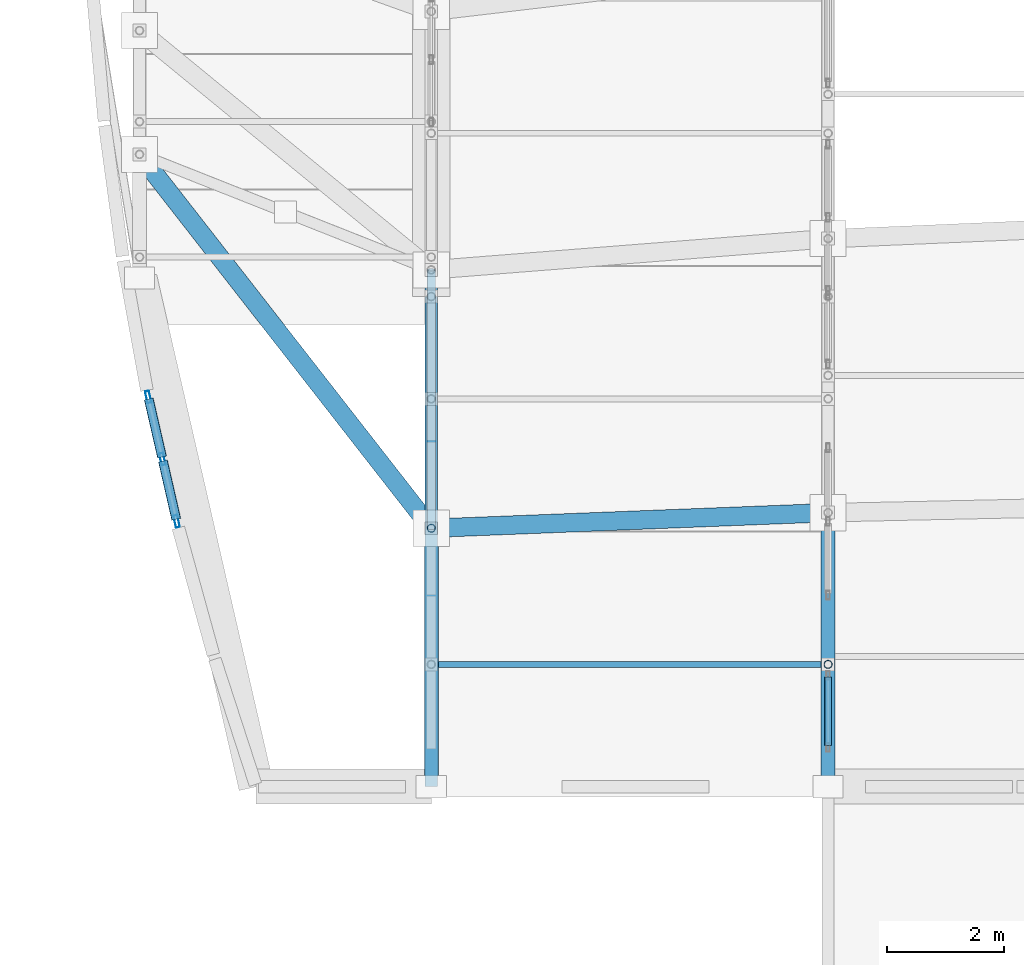
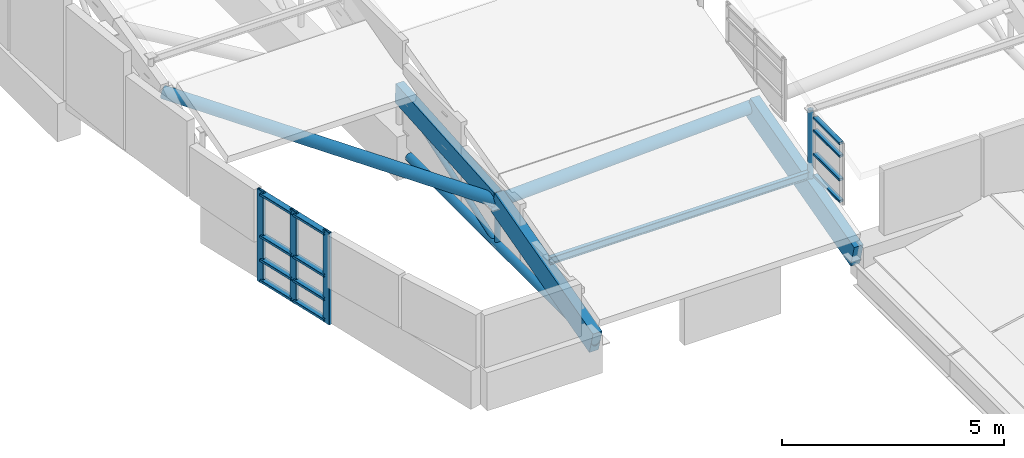
# One storey, part 66 of 188: 25 members, 2 elements without a shape of their own.
"""IFC4 building model written with IfcOpenShell, lengths in metres."""

from ifc_helpers import new_model, si_unit, direction, frame, origin, origin_2d, place, context, subcontext, project, spatial, rectangle, hollow_rectangle, hollow_circle, i_section, extrude, material, layer, layer_set, material_profile, profile_set, type_object, element, aggregate, save


model = new_model("IFC4")

# Units and contexts
model_context = context("Model", 3, precision=1e-05, world=origin(), true_north=direction((0.0, 1.0)))
body_context = subcontext(model_context, "Body", "Model", "MODEL_VIEW")
ifc_project = project(units=[si_unit("LENGTHUNIT", "METRE"), si_unit("AREAUNIT", "SQUARE_METRE"), si_unit("VOLUMEUNIT", "CUBIC_METRE"), si_unit("PLANEANGLEUNIT", "RADIAN"), si_unit("MASSUNIT", "GRAM", prefix="KILO")], contexts=[model_context])

# Site, building, storey
site_placement = place(None, origin())
site = spatial("IfcSite", under=ifc_project, at=site_placement, CompositionType="ELEMENT")
building_placement = place(site_placement, origin())
building = spatial("IfcBuilding", under=site, at=building_placement, Name="Kisaragi Civic Commons", CompositionType="ELEMENT")
storey_placement = place(building_placement, frame((0.0, 0.0, 9.60009765625)))
storey = spatial("IfcBuildingStorey", under=building, at=storey_placement, Name="L02", CompositionType="ELEMENT", Elevation=9.60009765625)

# Curtain wall, members
ifc_material_1 = material(Name="Thermally broken anodized aluminium and low-E double glazing", Category="aluminium")
ifc_layer_1 = layer(ifc_material_1, 0.2099609375, Name="Thermally broken anodized aluminium and low-E double glazing", Category="aluminium")
ifc_layer_set_1 = layer_set([ifc_layer_1], Name="Thermally broken anodized aluminium and low-E double glazing")
curtain_wall_type_1 = type_object("IfcCurtainWallType", Name="CW-02", PredefinedType="NOTDEFINED", material=ifc_layer_set_1)
curtain_wall_1_placement = place(storey_placement, origin())
curtain_wall_1 = element("IfcCurtainWall", 1, at=curtain_wall_1_placement, inside=storey, type_object=curtain_wall_type_1, Name="L02 curtain wall CW-02 CW-GAB-V2-221", PredefinedType="NOTDEFINED")
ifc_material_profile_1 = material_profile(ifc_material_1, hollow_rectangle(XDim=0.070068359375, YDim=0.2099609375, WallThickness=0.0048828125, InnerFilletRadius=0.0048828125, OuterFilletRadius=0.010009765625, at=origin_2d()), Name="CWM-70x210x5", Category="aluminium")
ifc_profile_set_1 = profile_set([ifc_material_profile_1], Name="Thermally broken anodized aluminium and low-E double glazing")
member_type_1 = type_object("IfcMemberType", Name="CWM-03", PredefinedType="MULLION", material=ifc_profile_set_1)
member_1_placement = place(storey_placement, frame((2.437255859375, 83.748291015625, -1.399169921875), z_axis=(0.0, 0.0, 1.0), x_axis=(-0.974843931572, -0.222888557527, 0.0)))
member_1 = element("IfcMember", 2, at=member_1_placement, type_object=member_type_1, Name="CW-02 mullion 1", PredefinedType="MULLION", context=body_context, shape_type="SweptSolid", body=[
    extrude(hollow_rectangle(XDim=0.070068359375, YDim=0.2099609375, WallThickness=0.0048828125, InnerFilletRadius=0.0048828125, OuterFilletRadius=0.010009765625, at=origin_2d()), origin(), (0.0, 0.0, 1.0), 2.534423828125),
])
member_2_placement = place(storey_placement, frame((2.193603515625, 84.814208984375, -1.399169921875), z_axis=(0.0, 0.0, 1.0), x_axis=(-0.974843931572, -0.222888557527, 0.0)))
member_2 = element("IfcMember", 3, at=member_2_placement, type_object=member_type_1, Name="CW-02 mullion 2", PredefinedType="MULLION", context=body_context, shape_type="SweptSolid", body=[
    extrude(hollow_rectangle(XDim=0.070068359375, YDim=0.2099609375, WallThickness=0.0048828125, InnerFilletRadius=0.0048828125, OuterFilletRadius=0.010009765625, at=origin_2d()), origin(), (0.0, 0.0, 1.0), 2.534423828125),
])
member_3_placement = place(storey_placement, frame((1.94970703125, 85.88037109375, -1.399169921875), z_axis=(0.0, 0.0, 1.0), x_axis=(-0.974843931572, -0.222888557527, 0.0)))
member_3 = element("IfcMember", 4, at=member_3_placement, type_object=member_type_1, Name="CW-02 mullion 3", PredefinedType="MULLION", context=body_context, shape_type="SweptSolid", body=[
    extrude(hollow_rectangle(XDim=0.070068359375, YDim=0.2099609375, WallThickness=0.0048828125, InnerFilletRadius=0.0048828125, OuterFilletRadius=0.010009765625, at=origin_2d()), origin(), (0.0, 0.0, 1.0), 2.534423828125),
])

ifc_layer_2 = layer(ifc_material_1, 0.14990234375, Name="Thermally broken anodized aluminium and low-E double glazing", Category="aluminium")
ifc_layer_set_2 = layer_set([ifc_layer_2], Name="Thermally broken anodized aluminium and low-E double glazing")
curtain_wall_type_2 = type_object("IfcCurtainWallType", Name="CW-03", PredefinedType="NOTDEFINED", material=ifc_layer_set_2)
curtain_wall_2_placement = place(storey_placement, origin())
curtain_wall_2 = element("IfcCurtainWall", 5, at=curtain_wall_2_placement, inside=storey, type_object=curtain_wall_type_2, Name="L02 curtain wall CW-03 CW-CL-V2-179", PredefinedType="NOTDEFINED")
ifc_material_profile_2 = material_profile(ifc_material_1, hollow_rectangle(XDim=0.1201171875, YDim=0.06005859375, WallThickness=0.00390625, InnerFilletRadius=0.00390625, OuterFilletRadius=0.008056640625, at=origin_2d()), Name="CWT-60x120x4", Category="aluminium")
ifc_profile_set_2 = profile_set([ifc_material_profile_2], Name="Thermally broken anodized aluminium and low-E double glazing")
member_type_2 = type_object("IfcMemberType", Name="CWT-01", PredefinedType="USERDEFINED", material=ifc_profile_set_2)
member_4_placement = place(storey_placement, frame((13.60009765625, 79.902099609375, 0.374267578125), z_axis=(0.0, 1.0, 0.0), x_axis=(-1.0, 0.0, 0.0)))
member_4 = element("IfcMember", 6, at=member_4_placement, type_object=member_type_2, Name="CW-03 transom 1.1", ObjectType="TRANSOM", PredefinedType="USERDEFINED", context=body_context, shape_type="SweptSolid", body=[
    extrude(hollow_rectangle(XDim=0.1201171875, YDim=0.06005859375, WallThickness=0.00390625, InnerFilletRadius=0.00390625, OuterFilletRadius=0.008056640625, at=origin_2d()), origin(), (0.0, 0.0, 1.0), 1.173583984375),
])
member_5_placement = place(storey_placement, frame((13.60009765625, 79.902099609375, 0.964111328125), z_axis=(0.0, 1.0, 0.0), x_axis=(-1.0, 0.0, 0.0)))
member_5 = element("IfcMember", 7, at=member_5_placement, type_object=member_type_2, Name="CW-03 transom 1.2", ObjectType="TRANSOM", PredefinedType="USERDEFINED", context=body_context, shape_type="SweptSolid", body=[
    extrude(hollow_rectangle(XDim=0.1201171875, YDim=0.06005859375, WallThickness=0.00390625, InnerFilletRadius=0.00390625, OuterFilletRadius=0.008056640625, at=origin_2d()), origin(), (0.0, 0.0, 1.0), 1.173583984375),
])
member_6_placement = place(storey_placement, frame((13.60009765625, 79.902099609375, 1.6142578125), z_axis=(0.0, 1.0, 0.0), x_axis=(-1.0, 0.0, 0.0)))
member_6 = element("IfcMember", 8, at=member_6_placement, type_object=member_type_2, Name="CW-03 transom 1.3", ObjectType="TRANSOM", PredefinedType="USERDEFINED", context=body_context, shape_type="SweptSolid", body=[
    extrude(hollow_rectangle(XDim=0.1201171875, YDim=0.06005859375, WallThickness=0.00390625, InnerFilletRadius=0.00390625, OuterFilletRadius=0.008056640625, at=origin_2d()), origin(), (0.0, 0.0, 1.0), 1.173583984375),
])
member_7_placement = place(storey_placement, frame((13.60009765625, 79.902099609375, 1.964599609375), z_axis=(0.0, 1.0, 0.0), x_axis=(-1.0, 0.0, 0.0)))
member_7 = element("IfcMember", 9, at=member_7_placement, type_object=member_type_2, Name="CW-03 transom 1.4", ObjectType="TRANSOM", PredefinedType="USERDEFINED", context=body_context, shape_type="SweptSolid", body=[
    extrude(hollow_rectangle(XDim=0.1201171875, YDim=0.06005859375, WallThickness=0.00390625, InnerFilletRadius=0.00390625, OuterFilletRadius=0.008056640625, at=origin_2d()), origin(), (0.0, 0.0, 1.0), 1.173583984375),
])
aggregate(curtain_wall_2, [member_4, member_5, member_6, member_7])

# Member
ifc_material_profile_3 = material_profile(ifc_material_1, hollow_rectangle(XDim=0.159912109375, YDim=0.070068359375, WallThickness=0.0048828125, InnerFilletRadius=0.0048828125, OuterFilletRadius=0.010009765625, at=origin_2d()), Name="CWT-70x160x5", Category="aluminium")
ifc_profile_set_3 = profile_set([ifc_material_profile_3], Name="Thermally broken anodized aluminium and low-E double glazing")
member_type_3 = type_object("IfcMemberType", Name="CWT-03", PredefinedType="USERDEFINED", material=ifc_profile_set_3)
member_8_placement = place(storey_placement, frame((2.429443359375, 83.7822265625, -1.319091796875), z_axis=(-0.222734147349, 0.974879223086, 0.0), x_axis=(-0.974879223086, -0.222734147349, 0.0)))
member_8 = element("IfcMember", 10, at=member_8_placement, type_object=member_type_3, Name="CW-02 transom 1.1", ObjectType="TRANSOM", PredefinedType="USERDEFINED", context=body_context, shape_type="SweptSolid", body=[
    extrude(hollow_rectangle(XDim=0.159912109375, YDim=0.070068359375, WallThickness=0.0048828125, InnerFilletRadius=0.0048828125, OuterFilletRadius=0.010009765625, at=origin_2d()), origin(), (0.0, 0.0, 1.0), 1.023681640625),
])

member_9_placement = place(storey_placement, frame((2.429443359375, 83.7822265625, -0.7490234375), z_axis=(-0.222734147349, 0.974879223086, 0.0), x_axis=(-0.974879223086, -0.222734147349, 0.0)))
member_9 = element("IfcMember", 11, at=member_9_placement, type_object=member_type_3, Name="CW-02 transom 1.2", ObjectType="TRANSOM", PredefinedType="USERDEFINED", context=body_context, shape_type="SweptSolid", body=[
    extrude(hollow_rectangle(XDim=0.159912109375, YDim=0.070068359375, WallThickness=0.0048828125, InnerFilletRadius=0.0048828125, OuterFilletRadius=0.010009765625, at=origin_2d()), origin(), (0.0, 0.0, 1.0), 1.023681640625),
])

member_10_placement = place(storey_placement, frame((2.429443359375, 83.7822265625, -0.09912109375), z_axis=(-0.222734147349, 0.974879223086, 0.0), x_axis=(-0.974879223086, -0.222734147349, 0.0)))
member_10 = element("IfcMember", 12, at=member_10_placement, type_object=member_type_3, Name="CW-02 transom 1.3", ObjectType="TRANSOM", PredefinedType="USERDEFINED", context=body_context, shape_type="SweptSolid", body=[
    extrude(hollow_rectangle(XDim=0.159912109375, YDim=0.070068359375, WallThickness=0.0048828125, InnerFilletRadius=0.0048828125, OuterFilletRadius=0.010009765625, at=origin_2d()), origin(), (0.0, 0.0, 1.0), 1.023681640625),
])

member_11_placement = place(storey_placement, frame((2.429443359375, 83.7822265625, 1.055419921875), z_axis=(-0.222734147349, 0.974879223086, 0.0), x_axis=(-0.974879223086, -0.222734147349, 0.0)))
member_11 = element("IfcMember", 13, at=member_11_placement, type_object=member_type_3, Name="CW-02 transom 1.4", ObjectType="TRANSOM", PredefinedType="USERDEFINED", context=body_context, shape_type="SweptSolid", body=[
    extrude(hollow_rectangle(XDim=0.159912109375, YDim=0.070068359375, WallThickness=0.0048828125, InnerFilletRadius=0.0048828125, OuterFilletRadius=0.010009765625, at=origin_2d()), origin(), (0.0, 0.0, 1.0), 1.023681640625),
])

member_12_placement = place(storey_placement, frame((2.185791015625, 84.848388671875, -1.319091796875), z_axis=(-0.223012612654, 0.974815559271, 0.0), x_axis=(-0.974815559271, -0.223012612654, 0.0)))
member_12 = element("IfcMember", 14, at=member_12_placement, type_object=member_type_3, Name="CW-02 transom 2.1", ObjectType="TRANSOM", PredefinedType="USERDEFINED", context=body_context, shape_type="SweptSolid", body=[
    extrude(hollow_rectangle(XDim=0.159912109375, YDim=0.070068359375, WallThickness=0.0048828125, InnerFilletRadius=0.0048828125, OuterFilletRadius=0.010009765625, at=origin_2d()), origin(), (0.0, 0.0, 1.0), 1.023681640625),
])

member_13_placement = place(storey_placement, frame((2.185791015625, 84.848388671875, -0.7490234375), z_axis=(-0.223012612654, 0.974815559271, 0.0), x_axis=(-0.974815559271, -0.223012612654, 0.0)))
member_13 = element("IfcMember", 15, at=member_13_placement, type_object=member_type_3, Name="CW-02 transom 2.2", ObjectType="TRANSOM", PredefinedType="USERDEFINED", context=body_context, shape_type="SweptSolid", body=[
    extrude(hollow_rectangle(XDim=0.159912109375, YDim=0.070068359375, WallThickness=0.0048828125, InnerFilletRadius=0.0048828125, OuterFilletRadius=0.010009765625, at=origin_2d()), origin(), (0.0, 0.0, 1.0), 1.023681640625),
])

member_14_placement = place(storey_placement, frame((2.185791015625, 84.848388671875, -0.09912109375), z_axis=(-0.223012612654, 0.974815559271, 0.0), x_axis=(-0.974815559271, -0.223012612654, 0.0)))
member_14 = element("IfcMember", 16, at=member_14_placement, type_object=member_type_3, Name="CW-02 transom 2.3", ObjectType="TRANSOM", PredefinedType="USERDEFINED", context=body_context, shape_type="SweptSolid", body=[
    extrude(hollow_rectangle(XDim=0.159912109375, YDim=0.070068359375, WallThickness=0.0048828125, InnerFilletRadius=0.0048828125, OuterFilletRadius=0.010009765625, at=origin_2d()), origin(), (0.0, 0.0, 1.0), 1.023681640625),
])

member_15_placement = place(storey_placement, frame((2.185791015625, 84.848388671875, 1.055419921875), z_axis=(-0.223012612654, 0.974815559271, 0.0), x_axis=(-0.974815559271, -0.223012612654, 0.0)))
member_15 = element("IfcMember", 17, at=member_15_placement, type_object=member_type_3, Name="CW-02 transom 2.4", ObjectType="TRANSOM", PredefinedType="USERDEFINED", context=body_context, shape_type="SweptSolid", body=[
    extrude(hollow_rectangle(XDim=0.159912109375, YDim=0.070068359375, WallThickness=0.0048828125, InnerFilletRadius=0.0048828125, OuterFilletRadius=0.010009765625, at=origin_2d()), origin(), (0.0, 0.0, 1.0), 1.023681640625),
])

aggregate(curtain_wall_1, [member_1, member_2, member_3, member_8, member_9, member_10, member_11, member_12, member_13, member_14, member_15])

# Members
ifc_material_2 = material(Name="Steel SN490 (SN490B)", Category="steel")
ifc_material_profile_4 = material_profile(ifc_material_2, hollow_circle(Radius=0.1591796875, WallThickness=0.01025390625, at=origin_2d()), Name="CHS-318.5x10.3", Category="steel")
ifc_profile_set_4 = profile_set([ifc_material_profile_4], Name="Steel SN490 (SN490B)")
member_type_4 = type_object("IfcMemberType", Name="GC-03", PredefinedType="CHORD", material=ifc_profile_set_4)
member_16_placement = place(storey_placement, frame((1.800048828125, 90.037109375, 1.35986328125), z_axis=(0.611705998553, -0.783987258301, -0.10573433764), x_axis=(0.788406740385, 0.615154299112, 0.0)))
element("IfcMember", 18, at=member_16_placement, inside=storey, type_object=member_type_4, Name="V2 wave gridshell chord GC-03 1", PredefinedType="CHORD", context=body_context, shape_type="SweptSolid", body=[
    extrude(hollow_circle(Radius=0.1591796875, WallThickness=0.01025390625, at=origin_2d()), origin(), (0.0, 0.0, 1.0), 8.173828125),
])
member_17_placement = place(storey_placement, frame((6.800048828125, 83.62890625, 0.49560546875), z_axis=(0.999169864895, 0.039280903388, 0.01079776431), x_axis=(-0.039283193502, 0.999228117453, 0.0)))
element("IfcMember", 19, at=member_17_placement, inside=storey, type_object=member_type_4, Name="V2 wave gridshell chord GC-03 8", PredefinedType="CHORD", context=body_context, shape_type="SweptSolid", body=[
    extrude(hollow_circle(Radius=0.1591796875, WallThickness=0.01025390625, at=origin_2d()), origin(), (0.0, 0.0, 1.0), 6.8056640625),
])
ifc_material_3 = material(Name="Glulam E120-F330", Category="wood")
ifc_material_profile_5 = material_profile(ifc_material_3, rectangle(XDim=0.239990234375, YDim=0.6298828125, at=origin_2d()), Name="GL-240x630", Category="wood")
ifc_profile_set_5 = profile_set([ifc_material_profile_5], Name="Glulam E120-F330")
member_type_5 = type_object("IfcMemberType", Name="GR-03", PredefinedType="RAFTER", material=ifc_profile_set_5)
member_18_placement = place(storey_placement, frame((6.800048828125, 79.199951171875, -0.69921875), z_axis=(0.0, 0.965483572253, 0.260463954722), x_axis=(-1.0, 0.0, 0.0)))
element("IfcMember", 20, at=member_18_placement, inside=storey, type_object=member_type_5, Name="V2 glulam arch rib GR-03 9", PredefinedType="RAFTER", context=body_context, shape_type="SweptSolid", body=[
    extrude(rectangle(XDim=0.239990234375, YDim=0.6298828125, at=origin_2d()), origin(), (0.0, 0.0, 1.0), 4.58740234375),
])
member_19_placement = place(storey_placement, frame((13.60009765625, 79.199951171875, -0.69921875), z_axis=(0.0, 0.96541291432, 0.260725727277), x_axis=(-1.0, 0.0, 0.0)))
element("IfcMember", 21, at=member_19_placement, inside=storey, type_object=member_type_5, Name="V2 glulam arch rib GR-03 17", PredefinedType="RAFTER", context=body_context, shape_type="SweptSolid", body=[
    extrude(rectangle(XDim=0.239990234375, YDim=0.6298828125, at=origin_2d()), origin(), (0.0, 0.0, 1.0), 4.864501953125),
])
ifc_material_profile_6 = material_profile(ifc_material_3, rectangle(XDim=0.2099609375, YDim=0.5400390625, at=origin_2d()), Name="GL-210x540", Category="wood")
ifc_profile_set_6 = profile_set([ifc_material_profile_6], Name="Glulam E120-F330")
member_type_6 = type_object("IfcMemberType", Name="GR-04", PredefinedType="RAFTER", material=ifc_profile_set_6)
member_20_placement = place(storey_placement, frame((6.800048828125, 83.62890625, 0.49560546875), z_axis=(0.0, 0.997342987371, 0.072848922727), x_axis=(-1.0, 0.0, 0.0)))
element("IfcMember", 22, at=member_20_placement, inside=storey, type_object=member_type_6, Name="V2 glulam arch rib GR-04 10", PredefinedType="RAFTER", context=body_context, shape_type="SweptSolid", body=[
    extrude(rectangle(XDim=0.2099609375, YDim=0.5400390625, at=origin_2d()), origin(), (0.0, 0.0, 1.0), 4.4404296875),
])
ifc_material_4 = material(Name="Steel SN400 (SN400B)", Category="steel")
ifc_material_profile_7 = material_profile(ifc_material_4, i_section(OverallWidth=0.10009765625, OverallDepth=0.199951171875, WebThickness=0.005615234375, FlangeThickness=0.008056640625, FilletRadius=0.008056640625, at=origin_2d()), Name="H-200x100x5.5x8", Category="steel")
ifc_profile_set_7 = profile_set([ifc_material_profile_7], Name="Steel SN400 (SN400B)")
member_type_7 = type_object("IfcMemberType", Name="PR-02", PredefinedType="PURLIN", material=ifc_profile_set_7)
member_21_placement = place(storey_placement, frame((6.800048828125, 81.295654296875, 0.27294921875), z_axis=(1.0, 0.0, 0.0), x_axis=(0.0, 1.0, 0.0)))
element("IfcMember", 23, at=member_21_placement, inside=storey, type_object=member_type_7, Name="V2 wave vault steel purlin 9", PredefinedType="PURLIN", context=body_context, shape_type="SweptSolid", body=[
    extrude(i_section(OverallWidth=0.10009765625, OverallDepth=0.199951171875, WebThickness=0.005615234375, FlangeThickness=0.008056640625, FilletRadius=0.008056640625, at=origin_2d()), origin(), (0.0, 0.0, 1.0), 6.800048828125),
])
ifc_material_profile_8 = material_profile(ifc_material_2, hollow_circle(Radius=0.06982421875, WallThickness=0.006103515625, at=origin_2d()), Name="CHS-139.8x6.0", Category="steel")
ifc_profile_set_8 = profile_set([ifc_material_profile_8], Name="Steel SN490 (SN490B)")
member_type_8 = type_object("IfcMemberType", Name="ST-H1", PredefinedType="STRUT", material=ifc_profile_set_8)
member_22_placement = place(storey_placement, frame((6.800048828125, 83.62890625, -0.69921875), z_axis=(0.0, 0.0, 1.0), x_axis=(1.0, 0.0, 0.0)))
element("IfcMember", 24, at=member_22_placement, inside=storey, type_object=member_type_8, Name="V2 arch tie hanger strut 17", PredefinedType="STRUT", context=body_context, shape_type="SweptSolid", body=[
    extrude(hollow_circle(Radius=0.06982421875, WallThickness=0.006103515625, at=origin_2d()), origin(), (0.0, 0.0, 1.0), 1.19482421875),
])
member_23_placement = place(storey_placement, frame((6.800048828125, 83.62890625, -0.69921875), z_axis=(0.0, 0.945952802215, 0.324304326184), x_axis=(-1.0, 0.0, 0.0)))
element("IfcMember", 25, at=member_23_placement, inside=storey, type_object=member_type_8, Name="V2 tied arch truss diagonal web strut 24", PredefinedType="STRUT", context=body_context, shape_type="SweptSolid", body=[
    extrude(hollow_circle(Radius=0.06982421875, WallThickness=0.006103515625, at=origin_2d()), origin(), (0.0, 0.0, 1.0), 4.681640625),
])
member_24_placement = place(storey_placement, frame((13.60009765625, 81.295654296875, -0.13330078125), z_axis=(0.0, 0.0, 1.0), x_axis=(1.0, 0.0, 0.0)))
element("IfcMember", 26, at=member_24_placement, inside=storey, type_object=member_type_8, Name="V2 clerestory monitor horizontal tie strut 2.2.1", PredefinedType="STRUT", context=body_context, shape_type="SweptSolid", body=[
    extrude(hollow_circle(Radius=0.06982421875, WallThickness=0.006103515625, at=origin_2d()), origin(), (0.0, 0.0, 1.0), 2.193603515625),
])
ifc_material_profile_9 = material_profile(ifc_material_2, hollow_circle(Radius=0.108154296875, WallThickness=0.008056640625, at=origin_2d()), Name="CHS-216.3x8.0", Category="steel")
ifc_profile_set_9 = profile_set([ifc_material_profile_9], Name="Steel SN490 (SN490B)")
member_type_9 = type_object("IfcMemberType", Name="ST-T2", PredefinedType="STRUT", material=ifc_profile_set_9)
member_25_placement = place(storey_placement, frame((6.800048828125, 79.199951171875, -0.69921875), z_axis=(0.0, 1.0, 0.0), x_axis=(-1.0, 0.0, 0.0)))
element("IfcMember", 27, at=member_25_placement, inside=storey, type_object=member_type_9, Name="V2 arch tension tie ST-T2 15", PredefinedType="STRUT", context=body_context, shape_type="SweptSolid", body=[
    extrude(hollow_circle(Radius=0.108154296875, WallThickness=0.008056640625, at=origin_2d()), origin(), (0.0, 0.0, 1.0), 8.400146484375),
])

save(model, "model.ifc")
